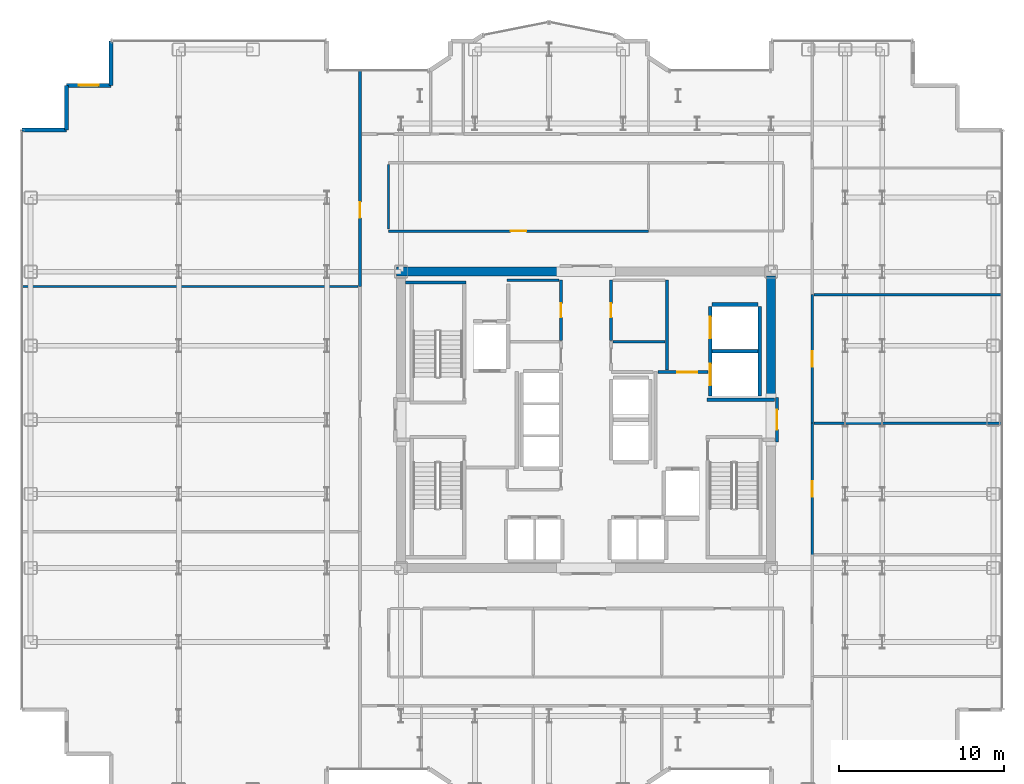
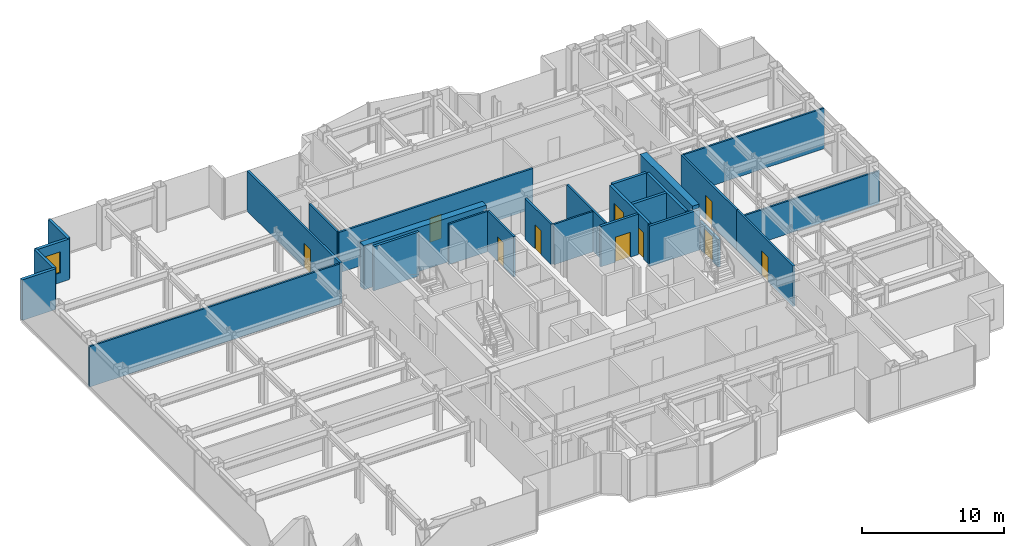
# One storey, part 20 of 23: 27 walls, 10 doors, 1 window, 11 openings.
"""IFC4 building model written with IfcOpenShell, lengths in metres."""

from ifc_helpers import new_model, si_unit, direction, frame, frame_2d, origin, place, context, subcontext, project, spatial, rectangle, extrude, source, transform, mapped, material, layer, layer_set, type_object, element, fill, save


model = new_model("IFC4")

# Units and contexts
model_context = context("Model", 3, precision=1e-05, world=origin(), true_north=direction((0.0, 1.0)))
body_context = subcontext(model_context, "Body", "Model", "MODEL_VIEW")
ifc_project = project(units=[si_unit("LENGTHUNIT", "METRE"), si_unit("AREAUNIT", "SQUARE_METRE"), si_unit("VOLUMEUNIT", "CUBIC_METRE"), si_unit("PLANEANGLEUNIT", "RADIAN"), si_unit("MASSUNIT", "GRAM", prefix="KILO")], contexts=[model_context])

# Site, building, storey
site_placement = place(None, origin())
site = spatial("IfcSite", under=ifc_project, at=site_placement, CompositionType="ELEMENT")
building_placement = place(site_placement, origin())
building = spatial("IfcBuilding", under=site, at=building_placement, Name="Nefas-Gora Pilgrimage Tower", CompositionType="ELEMENT")
storey_placement = place(building_placement, frame((0.0, 0.0, 198.199951171875)))
storey = spatial("IfcBuildingStorey", under=building, at=storey_placement, Name="L49", CompositionType="ELEMENT", Elevation=198.199951171875)

# Walls
ifc_material_1 = material(Name="Concrete C60/75", Category="concrete")
ifc_layer_1 = layer(ifc_material_1, 0.550048828125)
ifc_layer_set_1 = layer_set([ifc_layer_1], Name="Concrete C60/75")
wall_type_1 = type_object("IfcWallType", Name="SW-CORE-550", PredefinedType="SHEAR", material=ifc_layer_set_1)
shared_shape_1 = source(origin(), body_context, "Body", "SweptSolid", [
    extrude(rectangle(XDim=9.974853515625, YDim=0.550048828125, at=frame_2d((4.9873046875, 0.0))), origin(), (0.0, 0.0, 1.0), 3.800048828125),
])
wall_1_placement = place(storey_placement, frame((-11.52490234375, 9.0, 0.0), z_axis=(0.0, 0.0, 1.0), x_axis=(1.0, 0.0, 0.0)))
element("IfcWall", 1, at=wall_1_placement, inside=storey, type_object=wall_type_1, Name="L49 Core Shear Wall N-West", PredefinedType="SHEAR", context=body_context, shape_type="MappedRepresentation", body=[
    mapped(shared_shape_1, transform((0.0, 0.0, 0.0), x_axis=(1.0, 0.0, 0.0), y_axis=(0.0, 1.0, 0.0), z_axis=(0.0, 0.0, 1.0), scale=1.0)),
])
shared_shape_2 = source(origin(), body_context, "Body", "SweptSolid", [
    extrude(rectangle(XDim=7.375, YDim=0.550048828125, at=frame_2d((3.6875, 0.0))), origin(), (0.0, 0.0, 1.0), 3.800048828125),
])
wall_2_placement = place(storey_placement, frame((11.25, 1.35009765625, 0.0), z_axis=(0.0, 0.0, 1.0), x_axis=(0.0, 1.0, 0.0)))
element("IfcWall", 2, at=wall_2_placement, inside=storey, type_object=wall_type_1, Name="L49 Core Shear Wall E-North", PredefinedType="SHEAR", context=body_context, shape_type="MappedRepresentation", body=[
    mapped(shared_shape_2, transform((0.0, 0.0, 0.0), x_axis=(1.0, 0.0, 0.0), y_axis=(0.0, 1.0, 0.0), z_axis=(0.0, 0.0, 1.0), scale=1.0)),
])
ifc_material_2 = material(Name="Precast concrete C45/55", Category="concrete")
ifc_layer_2 = layer(ifc_material_2, 0.239990234375)
ifc_layer_set_2 = layer_set([ifc_layer_2], Name="Precast concrete C45/55")
wall_type_2 = type_object("IfcWallType", Name="EW-SERR-240", PredefinedType="SHEAR", material=ifc_layer_set_2)
shared_shape_3 = source(origin(), body_context, "Body", "SweptSolid", [
    extrude(rectangle(XDim=2.699951171875, YDim=0.239990234375, at=frame_2d((1.35009765625, 0.0))), origin(), (0.0, 0.0, 1.0), 3.5),
])
wall_3_placement = place(storey_placement, frame((-28.8701171875, 23.02001953125, 0.0), z_axis=(0.0, 0.0, 1.0), x_axis=(0.0, -1.0, 0.0)))
element("IfcWall", 3, at=wall_3_placement, inside=storey, type_object=wall_type_2, Name="L49 Serrated Corner Shear Pier Wall 20", PredefinedType="SHEAR", context=body_context, shape_type="MappedRepresentation", body=[
    mapped(shared_shape_3, transform((0.0, 0.0, 0.0), x_axis=(1.0, 0.0, 0.0), y_axis=(0.0, 1.0, 0.0), z_axis=(0.0, 0.0, 1.0), scale=1.0)),
])

# Wall, opening, window
wall_4_placement = place(storey_placement, frame((-28.8701171875, 20.320068359375, 0.0), z_axis=(0.0, 0.0, 1.0), x_axis=(-1.0, 0.0, 0.0)))
wall_4 = element("IfcWall", 4, at=wall_4_placement, inside=storey, type_object=wall_type_2, Name="L49 Serrated Corner Shear Pier Wall 21", PredefinedType="SHEAR", context=body_context, shape_type="MappedRepresentation", body=[
    mapped(shared_shape_3, transform((0.0, 0.0, 0.0), x_axis=(1.0, 0.0, 0.0), y_axis=(0.0, 1.0, 0.0), z_axis=(0.0, 0.0, 1.0), scale=1.0)),
])
opening_1_placement = place(wall_4_placement, frame((0.75, 0.0, 0.85009765625)))
opening_1 = element("IfcOpeningElement", 5, at=opening_1_placement, cuts=wall_4, Name="Opening W-V1", PredefinedType="OPENING", context=body_context, shape_type="SweptSolid", body=[
    extrude(rectangle(XDim=1.199951171875, YDim=1.800048828125, at=frame_2d((0.60009765625, 0.89990234375))), frame((0.0, 0.1298828125, 0.0), z_axis=(0.0, -1.0, 0.0), x_axis=(1.0, 0.0, 0.0)), (0.0, 0.0, 1.0), 0.260009765625),
])
ifc_material_3 = material(Name="Dark ceramic-fritted operable aluminium-glass window", Category="aluminium")
window_type = type_object("IfcWindowType", Name="WIN-VENT-1200x1800", PartitioningType="SINGLE_PANEL", PredefinedType="WINDOW", material=ifc_material_3)
shared_shape_4 = source(origin(), body_context, "Body", "SweptSolid", [
    extrude(rectangle(XDim=1.199951171875, YDim=1.800048828125, at=frame_2d((0.60009765625, 0.89990234375))), frame((0.0, 0.030029296875, 0.0), z_axis=(0.0, -1.0, 0.0), x_axis=(1.0, 0.0, 0.0)), (0.0, 0.0, 1.0), 0.06005859375),
])
window_placement = place(opening_1_placement, origin())
window = element("IfcWindow", 6, at=window_placement, inside=storey, type_object=window_type, Name="L49 Operable Parallel-Outswing Window 21", OverallHeight=1.800048828125, OverallWidth=1.199951171875, PartitioningType="SINGLE_PANEL", PredefinedType="WINDOW", context=body_context, shape_type="MappedRepresentation", body=[
    mapped(shared_shape_4, transform((0.0, 0.0, 0.0), x_axis=(1.0, 0.0, 0.0), y_axis=(0.0, 1.0, 0.0), z_axis=(0.0, 0.0, 1.0), scale=1.0)),
])
fill(opening_1, window)

# Walls
for number, where, z_axis, x_axis, name in (
    (7, (-31.570068359375, 20.320068359375, 0.0), (0.0, 0.0, 1.0), (0.0, -1.0, 0.0), "L49 Serrated Corner Shear Pier Wall 22"),
    (8, (-31.570068359375, 17.6201171875, 0.0), (0.0, 0.0, 1.0), (-1.0, 0.0, 0.0), "L49 Serrated Corner Shear Pier Wall 23"),
):
    element("IfcWall", number, at=place(storey_placement, frame(where, z_axis=z_axis, x_axis=x_axis)), inside=storey, type_object=wall_type_2, Name=name, PredefinedType="SHEAR", context=body_context, shape_type="MappedRepresentation", body=[
        mapped(shared_shape_3, transform((0.0, 0.0, 0.0), x_axis=(1.0, 0.0, 0.0), y_axis=(0.0, 1.0, 0.0), z_axis=(0.0, 0.0, 1.0), scale=1.0)),
    ])
ifc_material_4 = material(Name="Concrete C45/55", Category="concrete")
ifc_layer_3 = layer(ifc_material_4, 0.199951171875)
ifc_layer_set_3 = layer_set([ifc_layer_3], Name="Concrete C45/55")
wall_type_3 = type_object("IfcWallType", Name="IW-STAIR-200", PredefinedType="SOLIDWALL", material=ifc_layer_set_3)
shared_shape_5 = source(origin(), body_context, "Body", "SweptSolid", [
    extrude(rectangle(XDim=3.679931640625, YDim=0.199951171875, at=frame_2d((1.83984375, 0.0))), origin(), (0.0, 0.0, 1.0), 3.800048828125),
])
wall_5_placement = place(storey_placement, frame((-7.300048828125, 8.35009765625, 0.0), z_axis=(0.0, 0.0, 1.0), x_axis=(-1.0, 0.0, 0.0)))
element("IfcWall", 9, at=wall_5_placement, inside=storey, type_object=wall_type_3, Name="L49 Stairwell Shear Wall ST-01-far", PredefinedType="SOLIDWALL", context=body_context, shape_type="MappedRepresentation", body=[
    mapped(shared_shape_5, transform((0.0, 0.0, 0.0), x_axis=(1.0, 0.0, 0.0), y_axis=(0.0, 1.0, 0.0), z_axis=(0.0, 0.0, 1.0), scale=1.0)),
])

# Wall, openings, doors
ifc_material_5 = material(Name="Concrete C40/50", Category="concrete")
ifc_layer_4 = layer(ifc_material_5, 0.219970703125)
ifc_layer_set_4 = layer_set([ifc_layer_4], Name="Concrete C40/50")
wall_type_4 = type_object("IfcWallType", Name="IW-SHAFT-220", PredefinedType="SOLIDWALL", material=ifc_layer_set_4)
shared_shape_6 = source(origin(), body_context, "Body", "SweptSolid", [
    extrude(rectangle(XDim=5.449951171875, YDim=0.219970703125, at=frame_2d((2.72509765625, 0.0))), origin(), (0.0, 0.0, 1.0), 3.485107421875),
])
wall_6_placement = place(storey_placement, frame((7.5400390625, 6.89990234375, 0.0), z_axis=(0.0, 0.0, 1.0), x_axis=(0.0, -1.0, 0.0)))
wall_6 = element("IfcWall", 10, at=wall_6_placement, inside=storey, type_object=wall_type_4, Name="L49 Hoistway Wall SL-01-02-W", PredefinedType="SOLIDWALL", context=body_context, shape_type="MappedRepresentation", body=[
    mapped(shared_shape_6, transform((0.0, 0.0, 0.0), x_axis=(1.0, 0.0, 0.0), y_axis=(0.0, 1.0, 0.0), z_axis=(0.0, 0.0, 1.0), scale=1.0)),
])
opening_2_placement = place(wall_6_placement, frame((3.5, 0.0, 0.0)))
opening_2 = element("IfcOpeningElement", 11, at=opening_2_placement, cuts=wall_6, Name="Opening LD-SV", PredefinedType="OPENING", context=body_context, shape_type="SweptSolid", body=[
    extrude(rectangle(XDim=1.300048828125, YDim=2.300048828125, at=frame_2d((0.64990234375, 1.14990234375))), frame((0.0, 0.119873046875, 0.0), z_axis=(0.0, -1.0, 0.0), x_axis=(1.0, 0.0, 0.0)), (0.0, 0.0, 1.0), 0.239990234375),
])
opening_3_placement = place(wall_6_placement, frame((0.64990234375, 0.0, 0.0)))
opening_3 = element("IfcOpeningElement", 12, at=opening_3_placement, cuts=wall_6, Name="Opening LD-SV", PredefinedType="OPENING", context=body_context, shape_type="SweptSolid", body=[
    extrude(rectangle(XDim=1.300048828125, YDim=2.300048828125, at=frame_2d((0.64990234375, 1.14990234375))), frame((0.0, 0.119873046875, 0.0), z_axis=(0.0, -1.0, 0.0), x_axis=(1.0, 0.0, 0.0)), (0.0, 0.0, 1.0), 0.239990234375),
])
ifc_material_6 = material(Name="Heavy goods sliding lift landing door")
door_type_1 = type_object("IfcDoorType", Name="DR-LIFT-SERV-1300", OperationType="SLIDING_TO_RIGHT", PredefinedType="DOOR", material=ifc_material_6)
shared_shape_7 = source(origin(), body_context, "Body", "SweptSolid", [
    extrude(rectangle(XDim=1.300048828125, YDim=2.300048828125, at=frame_2d((0.64990234375, 1.14990234375))), frame((0.0, 0.02490234375, 0.0), z_axis=(0.0, -1.0, 0.0), x_axis=(1.0, 0.0, 0.0)), (0.0, 0.0, 1.0), 0.050048828125),
])
door_1_placement = place(opening_2_placement, origin())
door_1 = element("IfcDoor", 13, at=door_1_placement, inside=storey, type_object=door_type_1, Name="L49 Sliding Lift Landing Door SL-01", OperationType="SLIDING_TO_RIGHT", OverallHeight=2.300048828125, OverallWidth=1.300048828125, PredefinedType="DOOR", context=body_context, shape_type="MappedRepresentation", body=[
    mapped(shared_shape_7, transform((0.0, 0.0, 0.0), x_axis=(1.0, 0.0, 0.0), y_axis=(0.0, 1.0, 0.0), z_axis=(0.0, 0.0, 1.0), scale=1.0)),
])
fill(opening_2, door_1)
door_2_placement = place(opening_3_placement, origin())
door_2 = element("IfcDoor", 14, at=door_2_placement, inside=storey, type_object=door_type_1, Name="L49 Sliding Lift Landing Door SL-02", OperationType="SLIDING_TO_RIGHT", OverallHeight=2.300048828125, OverallWidth=1.300048828125, PredefinedType="DOOR", context=body_context, shape_type="MappedRepresentation", body=[
    mapped(shared_shape_7, transform((0.0, 0.0, 0.0), x_axis=(1.0, 0.0, 0.0), y_axis=(0.0, 1.0, 0.0), z_axis=(0.0, 0.0, 1.0), scale=1.0)),
])
fill(opening_3, door_2)

# Walls
wall_7_placement = place(storey_placement, frame((10.56005859375, 1.449951171875, 0.0), z_axis=(0.0, 0.0, 1.0), x_axis=(0.0, 1.0, 0.0)))
element("IfcWall", 15, at=wall_7_placement, inside=storey, type_object=wall_type_4, Name="L49 Hoistway Wall SL-01-02-E", PredefinedType="SOLIDWALL", context=body_context, shape_type="MappedRepresentation", body=[
    mapped(shared_shape_6, transform((0.0, 0.0, 0.0), x_axis=(1.0, 0.0, 0.0), y_axis=(0.0, 1.0, 0.0), z_axis=(0.0, 0.0, 1.0), scale=1.0)),
])
shared_shape_8 = source(origin(), body_context, "Body", "SweptSolid", [
    extrude(rectangle(XDim=2.780029296875, YDim=0.219970703125, at=frame_2d((1.39013671875, 0.0))), origin(), (0.0, 0.0, 1.0), 3.485107421875),
])
for number, where, z_axis, x_axis, name in (
    (16, (7.659912109375, 4.175048828125, 0.0), (0.0, 0.0, 1.0), (1.0, 0.0, 0.0), "L49 Hoistway Wall SL-01-02-DIV"),
    (17, (10.43994140625, 7.010009765625, 0.0), (0.0, 0.0, 1.0), (-1.0, 0.0, 0.0), "L49 Hoistway Wall SL-02-N"),
):
    element("IfcWall", number, at=place(storey_placement, frame(where, z_axis=z_axis, x_axis=x_axis)), inside=storey, type_object=wall_type_4, Name=name, PredefinedType="SOLIDWALL", context=body_context, shape_type="MappedRepresentation", body=[
        mapped(shared_shape_8, transform((0.0, 0.0, 0.0), x_axis=(1.0, 0.0, 0.0), y_axis=(0.0, 1.0, 0.0), z_axis=(0.0, 0.0, 1.0), scale=1.0)),
    ])

# Wall, opening, door
ifc_material_7 = material(Name="Gypsum fire-rated shaftwall")
ifc_layer_5 = layer(ifc_material_7, 0.199951171875)
ifc_layer_set_5 = layer_set([ifc_layer_5], Name="Gypsum fire-rated shaftwall")
wall_type_5 = type_object("IfcWallType", Name="IW-FFLOB-200", PredefinedType="PARTITIONING", material=ifc_layer_set_5)
shared_shape_9 = source(origin(), body_context, "Body", "SweptSolid", [
    extrude(rectangle(XDim=2.7001953125, YDim=0.199951171875, at=frame_2d((1.35009765625, 0.0))), origin(), (0.0, 0.0, 1.0), 2.375),
])
wall_8_placement = place(storey_placement, frame((11.60009765625, -1.35009765625, 0.0), z_axis=(0.0, 0.0, 1.0), x_axis=(0.0, 1.0, 0.0)))
wall_8 = element("IfcWall", 18, at=wall_8_placement, inside=storey, type_object=wall_type_5, Name="L49 FF Lobby East Portal Wall 9", PredefinedType="PARTITIONING", context=body_context, shape_type="MappedRepresentation", body=[
    mapped(shared_shape_9, transform((0.0, 0.0, 0.0), x_axis=(1.0, 0.0, 0.0), y_axis=(0.0, 1.0, 0.0), z_axis=(0.0, 0.0, 1.0), scale=1.0)),
])
opening_4_placement = place(wall_8_placement, frame((0.75, 0.0, 0.0)))
opening_4 = element("IfcOpeningElement", 19, at=opening_4_placement, cuts=wall_8, Name="Opening ID-FF1", PredefinedType="OPENING", context=body_context, shape_type="SweptSolid", body=[
    extrude(rectangle(XDim=1.199951171875, YDim=2.14990234375, at=frame_2d((0.60009765625, 1.074951171875))), frame((0.0, 0.10986328125, 0.0), z_axis=(0.0, -1.0, 0.0), x_axis=(1.0, 0.0, 0.0)), (0.0, 0.0, 1.0), 0.219970703125),
])
ifc_material_8 = material(Name="Smoke-sealed steel firefighting lobby door", Category="steel")
door_type_2 = type_object("IfcDoorType", Name="DR-INT-FFLOB-1200", OperationType="NOTDEFINED", PredefinedType="DOOR", material=ifc_material_8)
shared_shape_10 = source(origin(), body_context, "Body", "SweptSolid", [
    extrude(rectangle(XDim=1.199951171875, YDim=2.14990234375, at=frame_2d((0.60009765625, 1.074951171875))), frame((0.0, 0.02490234375, 0.0), z_axis=(0.0, -1.0, 0.0), x_axis=(1.0, 0.0, 0.0)), (0.0, 0.0, 1.0), 0.050048828125),
])
door_3_placement = place(opening_4_placement, origin())
door_3 = element("IfcDoor", 20, at=door_3_placement, inside=storey, type_object=door_type_2, Name="L49 FF Lobby East Portal Door 3", OperationType="SINGLE_SWING_RIGHT", OverallHeight=2.14990234375, OverallWidth=1.199951171875, PredefinedType="DOOR", context=body_context, shape_type="MappedRepresentation", body=[
    mapped(shared_shape_10, transform((0.0, 0.0, 0.0), x_axis=(1.0, 0.0, 0.0), y_axis=(0.0, 1.0, 0.0), z_axis=(0.0, 0.0, 1.0), scale=1.0)),
])
fill(opening_4, door_3)

shared_shape_11 = source(origin(), body_context, "Body", "SweptSolid", [
    extrude(rectangle(XDim=3.039794921875, YDim=0.199951171875, at=frame_2d((1.52001953125, 0.0))), origin(), (0.0, 0.0, 1.0), 3.485107421875),
])
wall_9_placement = place(storey_placement, frame((4.360107421875, 2.89990234375, 0.0), z_axis=(0.0, 0.0, 1.0), x_axis=(1.0, 0.0, 0.0)))
wall_9 = element("IfcWall", 21, at=wall_9_placement, inside=storey, type_object=wall_type_5, Name="L49 FF Lobby East North Wall Wall 12", PredefinedType="PARTITIONING", context=body_context, shape_type="MappedRepresentation", body=[
    mapped(shared_shape_11, transform((0.0, 0.0, 0.0), x_axis=(1.0, 0.0, 0.0), y_axis=(0.0, 1.0, 0.0), z_axis=(0.0, 0.0, 1.0), scale=1.0)),
])
opening_5_placement = place(wall_9_placement, frame((1.18994140625, 0.0, 0.0)))
opening_5 = element("IfcOpeningElement", 22, at=opening_5_placement, cuts=wall_9, Name="Opening ID-PL1", PredefinedType="OPENING", context=body_context, shape_type="SweptSolid", body=[
    extrude(rectangle(XDim=1.199951171875, YDim=2.14990234375, at=frame_2d((0.60009765625, 1.074951171875))), frame((0.0, 0.10986328125, 0.0), z_axis=(0.0, -1.0, 0.0), x_axis=(1.0, 0.0, 0.0)), (0.0, 0.0, 1.0), 0.219970703125),
])
ifc_material_9 = material(Name="Heavy-duty steel plant room fire door", Category="steel")
door_type_3 = type_object("IfcDoorType", Name="DR-INT-PLANT-1200", OperationType="NOTDEFINED", PredefinedType="DOOR", material=ifc_material_9)
door_4_placement = place(opening_5_placement, origin())
door_4 = element("IfcDoor", 23, at=door_4_placement, inside=storey, type_object=door_type_3, Name="L49 Service Lift Lobby Door Door 4", OperationType="SINGLE_SWING_LEFT", OverallHeight=2.14990234375, OverallWidth=1.199951171875, PredefinedType="DOOR", context=body_context, shape_type="MappedRepresentation", body=[
    mapped(shared_shape_10, transform((0.0, 0.0, 0.0), x_axis=(1.0, 0.0, 0.0), y_axis=(0.0, 1.0, 0.0), z_axis=(0.0, 0.0, 1.0), scale=1.0)),
])
fill(opening_5, door_4)

# Walls
shared_shape_12 = source(origin(), body_context, "Body", "SweptSolid", [
    extrude(rectangle(XDim=4.10986328125, YDim=0.199951171875, at=frame_2d((2.054931640625, 0.0))), origin(), (0.0, 0.0, 1.0), 3.485107421875),
])
wall_10_placement = place(storey_placement, frame((7.35009765625, 1.219970703125, 0.0), z_axis=(0.0, 0.0, 1.0), x_axis=(1.0, 0.0, 0.0)))
element("IfcWall", 24, at=wall_10_placement, inside=storey, type_object=wall_type_5, Name="L49 FF Lobby East Throat N Wall 13", PredefinedType="PARTITIONING", context=body_context, shape_type="MappedRepresentation", body=[
    mapped(shared_shape_12, transform((0.0, 0.0, 0.0), x_axis=(1.0, 0.0, 0.0), y_axis=(0.0, 1.0, 0.0), z_axis=(0.0, 0.0, 1.0), scale=1.0)),
])
ifc_material_10 = material(Name="Gypsum twin-stud partition")
ifc_layer_6 = layer(ifc_material_10, 0.139892578125)
ifc_layer_set_6 = layer_set([ifc_layer_6], Name="Gypsum twin-stud partition")
wall_type_6 = type_object("IfcWallType", Name="IW-UNIT-140", PredefinedType="PARTITIONING", material=ifc_layer_set_6)
shared_shape_13 = source(origin(), body_context, "Body", "SweptSolid", [
    extrude(rectangle(XDim=20.429931640625, YDim=0.139892578125, at=frame_2d((10.21484375, 0.0))), origin(), (0.0, 0.0, 1.0), 3.485107421875),
])
wall_11_placement = place(storey_placement, frame((-34.2900390625, 8.097412109375, 0.0), z_axis=(0.0, 0.0, 1.0), x_axis=(1.0, 0.0, 0.0)))
element("IfcWall", 25, at=wall_11_placement, inside=storey, type_object=wall_type_6, Name="L49 Pilgrim Devotional Prayer Gallery Partition Wall 35", PredefinedType="PARTITIONING", context=body_context, shape_type="MappedRepresentation", body=[
    mapped(shared_shape_13, transform((0.0, 0.0, 0.0), x_axis=(1.0, 0.0, 0.0), y_axis=(0.0, 1.0, 0.0), z_axis=(0.0, 0.0, 1.0), scale=1.0)),
])

# Wall, opening, door
ifc_material_11 = material(Name="Gypsum acoustic stud partition")
ifc_layer_7 = layer(ifc_material_11, 0.159912109375)
ifc_layer_set_7 = layer_set([ifc_layer_7], Name="Gypsum acoustic stud partition")
wall_type_7 = type_object("IfcWallType", Name="IW-CORR-160", PredefinedType="PARTITIONING", material=ifc_layer_set_7)
shared_shape_14 = source(origin(), body_context, "Body", "SweptSolid", [
    extrude(rectangle(XDim=13.152587890625, YDim=0.159912109375, at=frame_2d((6.576171875, 0.0))), origin(), (0.0, 0.0, 1.0), 3.485107421875),
])
wall_12_placement = place(storey_placement, frame((-13.739990234375, 8.08740234375, 0.0), z_axis=(0.0, 0.0, 1.0), x_axis=(0.0, 1.0, 0.0)))
wall_12 = element("IfcWall", 26, at=wall_12_placement, inside=storey, type_object=wall_type_7, Name="L49 Pilgrim Devotional Prayer Gallery Partition Wall 34", PredefinedType="PARTITIONING", context=body_context, shape_type="MappedRepresentation", body=[
    mapped(shared_shape_14, transform((0.0, 0.0, 0.0), x_axis=(1.0, 0.0, 0.0), y_axis=(0.0, 1.0, 0.0), z_axis=(0.0, 0.0, 1.0), scale=1.0)),
])
opening_6_placement = place(wall_12_placement, frame((4.186279296875, 0.0, 0.0)))
opening_6 = element("IfcOpeningElement", 27, at=opening_6_placement, cuts=wall_12, Name="Opening ID-GR1", PredefinedType="OPENING", context=body_context, shape_type="SweptSolid", body=[
    extrude(rectangle(XDim=0.949951171875, YDim=2.10009765625, at=frame_2d((0.47509765625, 1.050048828125))), frame((0.0, 0.08984375, 0.0), z_axis=(0.0, -1.0, 0.0), x_axis=(1.0, 0.0, 0.0)), (0.0, 0.0, 1.0), 0.179931640625),
])
ifc_material_12 = material(Name="Solid core oak fire-rated guest entrance door")
door_type_4 = type_object("IfcDoorType", Name="DR-INT-GUEST-950", OperationType="NOTDEFINED", PredefinedType="DOOR", material=ifc_material_12)
shared_shape_15 = source(origin(), body_context, "Body", "SweptSolid", [
    extrude(rectangle(XDim=0.949951171875, YDim=2.10009765625, at=frame_2d((0.47509765625, 1.050048828125))), frame((0.0, 0.02490234375, 0.0), z_axis=(0.0, -1.0, 0.0), x_axis=(1.0, 0.0, 0.0)), (0.0, 0.0, 1.0), 0.050048828125),
])
door_5_placement = place(opening_6_placement, origin())
door_5 = element("IfcDoor", 28, at=door_5_placement, inside=storey, type_object=door_type_4, Name="L49 Pilgrim Devotional Prayer Gallery Door 14", OperationType="SINGLE_SWING_LEFT", OverallHeight=2.10009765625, OverallWidth=0.949951171875, PredefinedType="DOOR", context=body_context, shape_type="MappedRepresentation", body=[
    mapped(shared_shape_15, transform((0.0, 0.0, 0.0), x_axis=(1.0, 0.0, 0.0), y_axis=(0.0, 1.0, 0.0), z_axis=(0.0, 0.0, 1.0), scale=1.0)),
])
fill(opening_6, door_5)

# Walls
shared_shape_16 = source(origin(), body_context, "Body", "SweptSolid", [
    extrude(rectangle(XDim=3.150146484375, YDim=0.139892578125, at=frame_2d((1.5751953125, 0.0))), origin(), (0.0, 0.0, 1.0), 3.485107421875),
])
for number, where, z_axis, x_axis, name in (
    (29, (-4.7900390625, 8.47998046875, 0.0), (0.0, 0.0, 1.0), (1.0, 0.0, 0.0), "L49 Archival Supply Store Partition Wall 21"),
    (30, (1.639892578125, 4.75, 0.0), (0.0, 0.0, 1.0), (1.0, 0.0, 0.0), "L49 Clean Blanket and Robe Store Partition Wall 23"),
):
    element("IfcWall", number, at=place(storey_placement, frame(where, z_axis=z_axis, x_axis=x_axis)), inside=storey, type_object=wall_type_6, Name=name, PredefinedType="PARTITIONING", context=body_context, shape_type="MappedRepresentation", body=[
        mapped(shared_shape_16, transform((0.0, 0.0, 0.0), x_axis=(1.0, 0.0, 0.0), y_axis=(0.0, 1.0, 0.0), z_axis=(0.0, 0.0, 1.0), scale=1.0)),
    ])
shared_shape_17 = source(origin(), body_context, "Body", "SweptSolid", [
    extrude(rectangle(XDim=5.449951171875, YDim=0.159912109375, at=frame_2d((2.72509765625, 0.0))), origin(), (0.0, 0.0, 1.0), 3.485107421875),
])
wall_13_placement = place(storey_placement, frame((4.919921875, 3.0400390625, 0.0), z_axis=(0.0, 0.0, 1.0), x_axis=(0.0, 1.0, 0.0)))
element("IfcWall", 31, at=wall_13_placement, inside=storey, type_object=wall_type_7, Name="L49 Service Lift Lobby West Wall Wall 17", PredefinedType="PARTITIONING", context=body_context, shape_type="MappedRepresentation", body=[
    mapped(shared_shape_17, transform((0.0, 0.0, 0.0), x_axis=(1.0, 0.0, 0.0), y_axis=(0.0, 1.0, 0.0), z_axis=(0.0, 0.0, 1.0), scale=1.0)),
])

# Wall, opening, door
shared_shape_18 = source(origin(), body_context, "Body", "SweptSolid", [
    extrude(rectangle(XDim=3.679931640625, YDim=0.159912109375, at=frame_2d((1.83984375, 0.0))), origin(), (0.0, 0.0, 1.0), 3.485107421875),
])
wall_14_placement = place(storey_placement, frame((-1.52001953125, 4.81005859375, 0.0), z_axis=(0.0, 0.0, 1.0), x_axis=(0.0, 1.0, 0.0)))
wall_14 = element("IfcWall", 32, at=wall_14_placement, inside=storey, type_object=wall_type_7, Name="L49 Archival Supply Store Wall 20", PredefinedType="PARTITIONING", context=body_context, shape_type="MappedRepresentation", body=[
    mapped(shared_shape_18, transform((0.0, 0.0, 0.0), x_axis=(1.0, 0.0, 0.0), y_axis=(0.0, 1.0, 0.0), z_axis=(0.0, 0.0, 1.0), scale=1.0)),
])
opening_7_placement = place(wall_14_placement, frame((1.4150390625, 0.0, 0.0)))
opening_7 = element("IfcOpeningElement", 33, at=opening_7_placement, cuts=wall_14, Name="Opening ID-BT1", PredefinedType="OPENING", context=body_context, shape_type="SweptSolid", body=[
    extrude(rectangle(XDim=0.85009765625, YDim=2.10009765625, at=frame_2d((0.425048828125, 1.050048828125))), frame((0.0, 0.08984375, 0.0), z_axis=(0.0, -1.0, 0.0), x_axis=(1.0, 0.0, 0.0)), (0.0, 0.0, 1.0), 0.179931640625),
])
ifc_material_13 = material(Name="Moisture-resistant fire-rated timber door", Category="wood")
door_type_5 = type_object("IfcDoorType", Name="DR-INT-BATH-850", OperationType="NOTDEFINED", PredefinedType="DOOR", material=ifc_material_13)
shared_shape_19 = source(origin(), body_context, "Body", "SweptSolid", [
    extrude(rectangle(XDim=0.85009765625, YDim=2.10009765625, at=frame_2d((0.425048828125, 1.050048828125))), frame((0.0, 0.02490234375, 0.0), z_axis=(0.0, -1.0, 0.0), x_axis=(1.0, 0.0, 0.0)), (0.0, 0.0, 1.0), 0.050048828125),
])
door_6_placement = place(opening_7_placement, origin())
door_6 = element("IfcDoor", 34, at=door_6_placement, inside=storey, type_object=door_type_5, Name="L49 Archival Supply Store Door 8", OperationType="SINGLE_SWING_LEFT", OverallHeight=2.10009765625, OverallWidth=0.85009765625, PredefinedType="DOOR", context=body_context, shape_type="MappedRepresentation", body=[
    mapped(shared_shape_19, transform((0.0, 0.0, 0.0), x_axis=(1.0, 0.0, 0.0), y_axis=(0.0, 1.0, 0.0), z_axis=(0.0, 0.0, 1.0), scale=1.0)),
])
fill(opening_7, door_6)

wall_15_placement = place(storey_placement, frame((1.52001953125, 4.81005859375, 0.0), z_axis=(0.0, 0.0, 1.0), x_axis=(0.0, 1.0, 0.0)))
wall_15 = element("IfcWall", 35, at=wall_15_placement, inside=storey, type_object=wall_type_7, Name="L49 Amenity Supply Store Wall 24", PredefinedType="PARTITIONING", context=body_context, shape_type="MappedRepresentation", body=[
    mapped(shared_shape_18, transform((0.0, 0.0, 0.0), x_axis=(1.0, 0.0, 0.0), y_axis=(0.0, 1.0, 0.0), z_axis=(0.0, 0.0, 1.0), scale=1.0)),
])
opening_8_placement = place(wall_15_placement, frame((1.4150390625, 0.0, 0.0)))
opening_8 = element("IfcOpeningElement", 36, at=opening_8_placement, cuts=wall_15, Name="Opening ID-BT1", PredefinedType="OPENING", context=body_context, shape_type="SweptSolid", body=[
    extrude(rectangle(XDim=0.85009765625, YDim=2.10009765625, at=frame_2d((0.425048828125, 1.050048828125))), frame((0.0, 0.08984375, 0.0), z_axis=(0.0, -1.0, 0.0), x_axis=(1.0, 0.0, 0.0)), (0.0, 0.0, 1.0), 0.179931640625),
])
door_7_placement = place(opening_8_placement, origin())
door_7 = element("IfcDoor", 37, at=door_7_placement, inside=storey, type_object=door_type_5, Name="L49 Amenity Supply Store Door 10", OperationType="SINGLE_SWING_LEFT", OverallHeight=2.10009765625, OverallWidth=0.85009765625, PredefinedType="DOOR", context=body_context, shape_type="MappedRepresentation", body=[
    mapped(shared_shape_19, transform((0.0, 0.0, 0.0), x_axis=(1.0, 0.0, 0.0), y_axis=(0.0, 1.0, 0.0), z_axis=(0.0, 0.0, 1.0), scale=1.0)),
])
fill(opening_8, door_7)

# Wall
shared_shape_20 = source(origin(), body_context, "Body", "SweptSolid", [
    extrude(rectangle(XDim=11.429931640625, YDim=0.139892578125, at=frame_2d((5.71484375, 0.0))), origin(), (0.0, 0.0, 1.0), 3.485107421875),
])
wall_16_placement = place(storey_placement, frame((13.860107421875, 7.594970703125, 0.0), z_axis=(0.0, 0.0, 1.0), x_axis=(1.0, 0.0, 0.0)))
element("IfcWall", 38, at=wall_16_placement, inside=storey, type_object=wall_type_6, Name="L49 Pilgrim Contemplative Lounge Partition Wall 44", PredefinedType="PARTITIONING", context=body_context, shape_type="MappedRepresentation", body=[
    mapped(shared_shape_20, transform((0.0, 0.0, 0.0), x_axis=(1.0, 0.0, 0.0), y_axis=(0.0, 1.0, 0.0), z_axis=(0.0, 0.0, 1.0), scale=1.0)),
])

# Wall, opening, door
shared_shape_21 = source(origin(), body_context, "Body", "SweptSolid", [
    extrude(rectangle(XDim=8.010009765625, YDim=0.159912109375, at=frame_2d((4.0048828125, 0.0))), origin(), (0.0, 0.0, 1.0), 3.485107421875),
])
wall_17_placement = place(storey_placement, frame((13.739990234375, -8.205078125, 0.0), z_axis=(0.0, 0.0, 1.0), x_axis=(0.0, 1.0, 0.0)))
wall_17 = element("IfcWall", 39, at=wall_17_placement, inside=storey, type_object=wall_type_7, Name="L49 Pilgrim Contemplative Lounge Partition Wall 41", PredefinedType="PARTITIONING", context=body_context, shape_type="MappedRepresentation", body=[
    mapped(shared_shape_21, transform((0.0, 0.0, 0.0), x_axis=(1.0, 0.0, 0.0), y_axis=(0.0, 1.0, 0.0), z_axis=(0.0, 0.0, 1.0), scale=1.0)),
])
opening_9_placement = place(wall_17_placement, frame((3.530029296875, 0.0, 0.0)))
opening_9 = element("IfcOpeningElement", 40, at=opening_9_placement, cuts=wall_17, Name="Opening ID-GR1", PredefinedType="OPENING", context=body_context, shape_type="SweptSolid", body=[
    extrude(rectangle(XDim=0.949951171875, YDim=2.10009765625, at=frame_2d((0.47509765625, 1.050048828125))), frame((0.0, 0.08984375, 0.0), z_axis=(0.0, -1.0, 0.0), x_axis=(1.0, 0.0, 0.0)), (0.0, 0.0, 1.0), 0.179931640625),
])
door_8_placement = place(opening_9_placement, origin())
door_8 = element("IfcDoor", 41, at=door_8_placement, inside=storey, type_object=door_type_4, Name="L49 Pilgrim Contemplative Lounge Door 18", OperationType="SINGLE_SWING_LEFT", OverallHeight=2.10009765625, OverallWidth=0.949951171875, PredefinedType="DOOR", context=body_context, shape_type="MappedRepresentation", body=[
    mapped(shared_shape_15, transform((0.0, 0.0, 0.0), x_axis=(1.0, 0.0, 0.0), y_axis=(0.0, 1.0, 0.0), z_axis=(0.0, 0.0, 1.0), scale=1.0)),
])
fill(opening_9, door_8)

# Wall
shared_shape_22 = source(origin(), body_context, "Body", "SweptSolid", [
    extrude(rectangle(XDim=11.429931640625, YDim=0.139892578125, at=frame_2d((5.71484375, 0.0))), origin(), (0.0, 0.0, 1.0), 2.824951171875),
])
wall_18_placement = place(storey_placement, frame((13.860107421875, -0.205078125, 0.0), z_axis=(0.0, 0.0, 1.0), x_axis=(1.0, 0.0, 0.0)))
element("IfcWall", 42, at=wall_18_placement, inside=storey, type_object=wall_type_6, Name="L49 Pilgrim Contemplative Lounge Partition Wall 42", PredefinedType="PARTITIONING", context=body_context, shape_type="MappedRepresentation", body=[
    mapped(shared_shape_22, transform((0.0, 0.0, 0.0), x_axis=(1.0, 0.0, 0.0), y_axis=(0.0, 1.0, 0.0), z_axis=(0.0, 0.0, 1.0), scale=1.0)),
])

# Wall, opening, door
shared_shape_23 = source(origin(), body_context, "Body", "SweptSolid", [
    extrude(rectangle(XDim=7.81005859375, YDim=0.159912109375, at=frame_2d((3.905029296875, 0.0))), origin(), (0.0, 0.0, 1.0), 3.485107421875),
])
wall_19_placement = place(storey_placement, frame((13.739990234375, -0.205078125, 0.0), z_axis=(0.0, 0.0, 1.0), x_axis=(0.0, 1.0, 0.0)))
wall_19 = element("IfcWall", 43, at=wall_19_placement, inside=storey, type_object=wall_type_7, Name="L49 Pilgrim Contemplative Lounge Partition Wall 43", PredefinedType="PARTITIONING", context=body_context, shape_type="MappedRepresentation", body=[
    mapped(shared_shape_23, transform((0.0, 0.0, 0.0), x_axis=(1.0, 0.0, 0.0), y_axis=(0.0, 1.0, 0.0), z_axis=(0.0, 0.0, 1.0), scale=1.0)),
])
opening_10_placement = place(wall_19_placement, frame((3.429931640625, 0.0, 0.0)))
opening_10 = element("IfcOpeningElement", 44, at=opening_10_placement, cuts=wall_19, Name="Opening ID-GR1", PredefinedType="OPENING", context=body_context, shape_type="SweptSolid", body=[
    extrude(rectangle(XDim=0.949951171875, YDim=2.10009765625, at=frame_2d((0.47509765625, 1.050048828125))), frame((0.0, 0.08984375, 0.0), z_axis=(0.0, -1.0, 0.0), x_axis=(1.0, 0.0, 0.0)), (0.0, 0.0, 1.0), 0.179931640625),
])
door_9_placement = place(opening_10_placement, origin())
door_9 = element("IfcDoor", 45, at=door_9_placement, inside=storey, type_object=door_type_4, Name="L49 Pilgrim Contemplative Lounge Door 19", OperationType="SINGLE_SWING_RIGHT", OverallHeight=2.10009765625, OverallWidth=0.949951171875, PredefinedType="DOOR", context=body_context, shape_type="MappedRepresentation", body=[
    mapped(shared_shape_15, transform((0.0, 0.0, 0.0), x_axis=(1.0, 0.0, 0.0), y_axis=(0.0, 1.0, 0.0), z_axis=(0.0, 0.0, 1.0), scale=1.0)),
])
fill(opening_10, door_9)

shared_shape_24 = source(origin(), body_context, "Body", "SweptSolid", [
    extrude(rectangle(XDim=15.81494140625, YDim=0.159912109375, at=frame_2d((7.907470703125, 0.0))), origin(), (0.0, 0.0, 1.0), 3.485107421875),
])
wall_20_placement = place(storey_placement, frame((-12.010009765625, 11.469970703125, 0.0), z_axis=(0.0, 0.0, 1.0), x_axis=(1.0, 0.0, 0.0)))
wall_20 = element("IfcWall", 46, at=wall_20_placement, inside=storey, type_object=wall_type_7, Name="L49 Pilgrim Contemplative Lounge Partition Wall 48", PredefinedType="PARTITIONING", context=body_context, shape_type="MappedRepresentation", body=[
    mapped(shared_shape_24, transform((0.0, 0.0, 0.0), x_axis=(1.0, 0.0, 0.0), y_axis=(0.0, 1.0, 0.0), z_axis=(0.0, 0.0, 1.0), scale=1.0)),
])
opening_11_placement = place(wall_20_placement, frame((7.4326171875, 0.0, 0.0)))
opening_11 = element("IfcOpeningElement", 47, at=opening_11_placement, cuts=wall_20, Name="Opening ID-GR1", PredefinedType="OPENING", context=body_context, shape_type="SweptSolid", body=[
    extrude(rectangle(XDim=0.949951171875, YDim=2.10009765625, at=frame_2d((0.47509765625, 1.050048828125))), frame((0.0, 0.08984375, 0.0), z_axis=(0.0, -1.0, 0.0), x_axis=(1.0, 0.0, 0.0)), (0.0, 0.0, 1.0), 0.179931640625),
])
door_10_placement = place(opening_11_placement, origin())
door_10 = element("IfcDoor", 48, at=door_10_placement, inside=storey, type_object=door_type_4, Name="L49 Pilgrim Contemplative Lounge Door 22", OperationType="SINGLE_SWING_LEFT", OverallHeight=2.10009765625, OverallWidth=0.949951171875, PredefinedType="DOOR", context=body_context, shape_type="MappedRepresentation", body=[
    mapped(shared_shape_15, transform((0.0, 0.0, 0.0), x_axis=(1.0, 0.0, 0.0), y_axis=(0.0, 1.0, 0.0), z_axis=(0.0, 0.0, 1.0), scale=1.0)),
])
fill(opening_11, door_10)

# Wall
shared_shape_25 = source(origin(), body_context, "Body", "SweptSolid", [
    extrude(rectangle(XDim=3.929931640625, YDim=0.139892578125, at=frame_2d((1.96484375, 0.0))), origin(), (0.0, 0.0, 1.0), 3.485107421875),
])
wall_21_placement = place(storey_placement, frame((-12.0, 11.590087890625, 0.0), z_axis=(0.0, 0.0, 1.0), x_axis=(0.0, 1.0, 0.0)))
element("IfcWall", 49, at=wall_21_placement, inside=storey, type_object=wall_type_6, Name="L49 Pilgrim Contemplative Lounge Partition Wall 50", PredefinedType="PARTITIONING", context=body_context, shape_type="MappedRepresentation", body=[
    mapped(shared_shape_25, transform((0.0, 0.0, 0.0), x_axis=(1.0, 0.0, 0.0), y_axis=(0.0, 1.0, 0.0), z_axis=(0.0, 0.0, 1.0), scale=1.0)),
])

save(model, "model.ifc")
